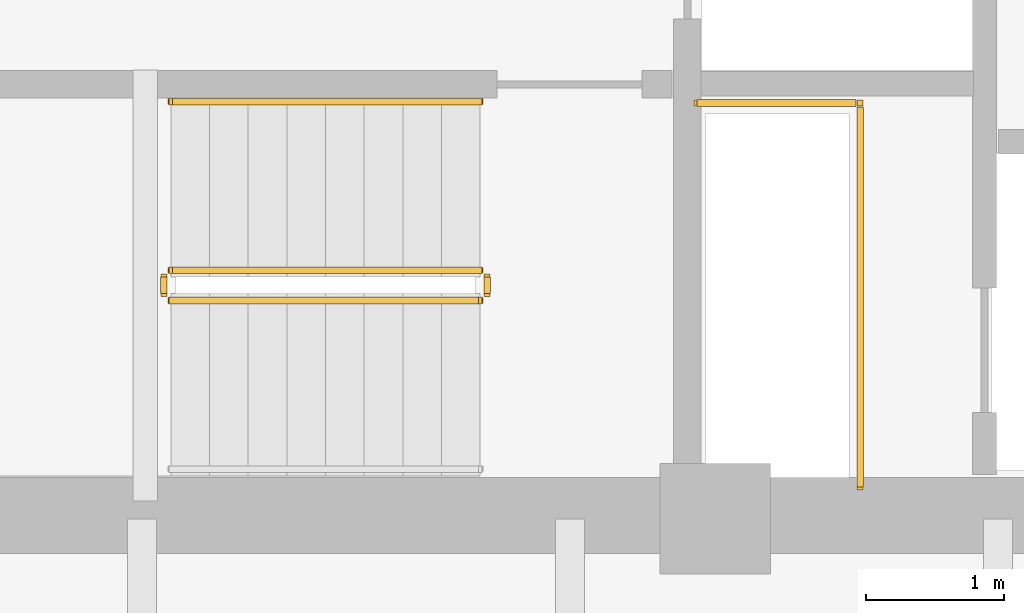
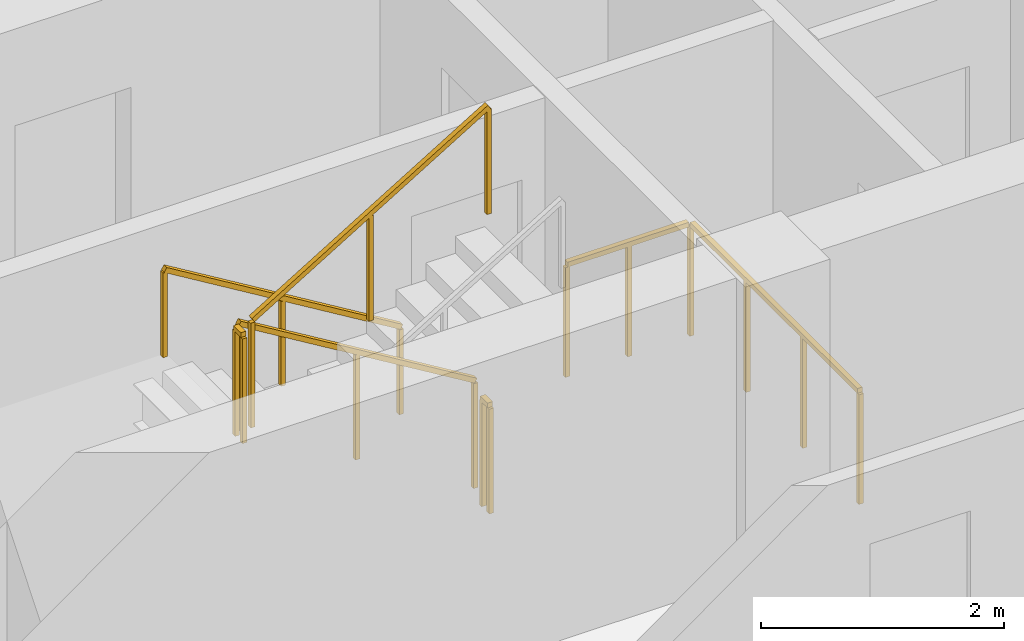
# One storey, part 8 of 12: 6 railings.
"""IFC4 building model written with IfcOpenShell, lengths in metres."""

from ifc_helpers import new_model, si_unit, direction, frame, origin, origin_2d, place, context, subcontext, project, spatial, rectangle, extrude, material, type_object, element, save


model = new_model("IFC4")

# Units and contexts
model_context = context("Model", 3, precision=1e-05, world=origin(), true_north=direction((0.0, 1.0)))
body_context = subcontext(model_context, "Body", "Model", "MODEL_VIEW")
ifc_project = project(units=[si_unit("LENGTHUNIT", "METRE"), si_unit("AREAUNIT", "SQUARE_METRE"), si_unit("VOLUMEUNIT", "CUBIC_METRE"), si_unit("PLANEANGLEUNIT", "RADIAN"), si_unit("MASSUNIT", "GRAM", prefix="KILO")], contexts=[model_context])

# Site, building, storey
site_placement = place(None, origin())
site = spatial("IfcSite", under=ifc_project, at=site_placement, CompositionType="ELEMENT")
building_placement = place(site_placement, origin())
building = spatial("IfcBuilding", under=site, at=building_placement, Name="Qhalaya Broadcast Tower", CompositionType="ELEMENT")
storey_placement = place(building_placement, frame((0.0, 0.0, 47.449951171875)))
storey = spatial("IfcBuildingStorey", under=building, at=storey_placement, Name="L13", CompositionType="ELEMENT", Elevation=47.449951171875)

# Railings
ifc_material = material(Name="Powder-Coated Galvanised Steel", Category="steel")
railing_type_1 = type_object("IfcRailingType", Name="Stair Wall Handrail 900", PredefinedType="HANDRAIL", material=ifc_material)
railing_1_placement = place(storey_placement, frame((-3.75, -5.72998046875, 0.16943359375)))
element("IfcRailing", 1, at=railing_1_placement, inside=storey, type_object=railing_type_1, Name="L13 ST-2 Stair Handrail 1", PredefinedType="HANDRAIL", context=body_context, shape_type="SweptSolid", body=[
    extrude(rectangle(XDim=0.048095703125, YDim=0.048095703125, at=origin_2d()), frame((0.0, 0.0, 0.8759765625), z_axis=(-0.855512035549, 0.0, 0.517782924622), x_axis=(0.0, -1.0, 0.0)), (0.0, 0.0, 1.0), 2.618408203125),
    extrude(rectangle(XDim=0.0419921875, YDim=0.0419921875, at=origin_2d()), origin(), (0.0, 0.0, 1.0), 0.849853515625),
    extrude(rectangle(XDim=0.0419921875, YDim=0.0419921875, at=origin_2d()), frame((-1.1201171875, 0.0, 0.677734375)), (0.0, 0.0, 1.0), 0.849853515625),
    extrude(rectangle(XDim=0.0419921875, YDim=0.0419921875, at=origin_2d()), frame((-2.239990234375, 0.0, 1.355712890625)), (0.0, 0.0, 1.0), 0.849853515625),
])
railing_type_2 = type_object("IfcRailingType", Name="Stair Well & Landing Guardrail 1100", PredefinedType="GUARDRAIL", material=ifc_material)
railing_2_placement = place(storey_placement, frame((-1.0, -8.52001953125, 0.0)))
element("IfcRailing", 2, at=railing_2_placement, inside=storey, type_object=railing_type_2, Name="L13 Service Riser Opening Safety Guard SRSR", PredefinedType="GUARDRAIL", context=body_context, shape_type="SweptSolid", body=[
    extrude(rectangle(XDim=0.048095703125, YDim=0.048095703125, at=origin_2d()), frame((0.0, 0.0, 1.1259765625), z_axis=(0.0, 1.0, 0.0), x_axis=(-1.0, 0.0, 0.0)), (0.0, 0.0, 1.0), 2.751220703125),
    extrude(rectangle(XDim=0.048095703125, YDim=0.048095703125, at=origin_2d()), frame((-0.02880859375, 2.780029296875, 1.1259765625), z_axis=(-1.0, 0.0, 0.0), x_axis=(0.0, -1.0, 0.0)), (0.0, 0.0, 1.0), 1.151123046875),
    extrude(rectangle(XDim=0.0419921875, YDim=0.0419921875, at=origin_2d()), origin(), (0.0, 0.0, 1.0), 1.099853515625),
    extrude(rectangle(XDim=0.0419921875, YDim=0.0419921875, at=origin_2d()), frame((0.0, 0.9267578125, 0.0)), (0.0, 0.0, 1.0), 1.099853515625),
    extrude(rectangle(XDim=0.0419921875, YDim=0.0419921875, at=origin_2d()), frame((0.0, 1.853271484375, 0.0)), (0.0, 0.0, 1.0), 1.099853515625),
    extrude(rectangle(XDim=0.0419921875, YDim=0.0419921875, at=origin_2d()), frame((0.0, 2.780029296875, 0.0)), (0.0, 0.0, 1.0), 1.099853515625),
    extrude(rectangle(XDim=0.0419921875, YDim=0.0419921875, at=origin_2d()), frame((-0.58984375, 2.780029296875, 0.0)), (0.0, 0.0, 1.0), 1.099853515625),
    extrude(rectangle(XDim=0.0419921875, YDim=0.0419921875, at=origin_2d()), frame((-1.179931640625, 2.780029296875, 0.0)), (0.0, 0.0, 1.0), 1.099853515625),
])
railing_3_placement = place(storey_placement, frame((-3.75, -6.949951171875, 0.16943359375)))
element("IfcRailing", 3, at=railing_3_placement, inside=storey, type_object=railing_type_2, Name="L13 ST-2 Stair Guard 1", PredefinedType="GUARDRAIL", context=body_context, shape_type="SweptSolid", body=[
    extrude(rectangle(XDim=0.048095703125, YDim=0.048095703125, at=origin_2d()), frame((0.0, 0.0, 1.076171875), z_axis=(-0.855512035549, 0.0, 0.517782924622), x_axis=(0.0, -1.0, 0.0)), (0.0, 0.0, 1.0), 2.618408203125),
    extrude(rectangle(XDim=0.0419921875, YDim=0.0419921875, at=origin_2d()), origin(), (0.0, 0.0, 1.0), 1.050048828125),
    extrude(rectangle(XDim=0.0419921875, YDim=0.0419921875, at=origin_2d()), frame((-1.1201171875, 0.0, 0.677734375)), (0.0, 0.0, 1.0), 1.050048828125),
    extrude(rectangle(XDim=0.0419921875, YDim=0.0419921875, at=origin_2d()), frame((-2.239990234375, 0.0, 1.355712890625)), (0.0, 0.0, 1.0), 1.050048828125),
])
railing_4_placement = place(storey_placement, frame((-6.0400390625, -7.0, 1.525146484375)))
element("IfcRailing", 4, at=railing_4_placement, inside=storey, type_object=railing_type_2, Name="L13 ST-2 Stair Guard 2", PredefinedType="GUARDRAIL", context=body_context, shape_type="SweptSolid", body=[
    extrude(rectangle(XDim=0.048095703125, YDim=0.048095703125, at=origin_2d()), frame((0.0, 0.0, 1.076171875), z_axis=(0.0, -1.0, 0.0), x_axis=(1.0, 0.0, 0.0)), (0.0, 0.0, 1.0), 0.1201171875),
    extrude(rectangle(XDim=0.0419921875, YDim=0.0419921875, at=origin_2d()), origin(), (0.0, 0.0, 1.0), 1.050048828125),
    extrude(rectangle(XDim=0.0419921875, YDim=0.0419921875, at=origin_2d()), frame((0.0, -0.1201171875, 0.0)), (0.0, 0.0, 1.0), 1.050048828125),
])
railing_5_placement = place(storey_placement, frame((-5.989990234375, -7.169921875, 1.694580078125)))
element("IfcRailing", 5, at=railing_5_placement, inside=storey, type_object=railing_type_2, Name="L13 ST-2 Stair Guard 3", PredefinedType="GUARDRAIL", context=body_context, shape_type="SweptSolid", body=[
    extrude(rectangle(XDim=0.048095703125, YDim=0.048095703125, at=origin_2d()), frame((0.0, 0.0, 1.076171875), z_axis=(0.855553338991, 0.0, 0.51771467445), x_axis=(0.0, 1.0, 0.0)), (0.0, 0.0, 1.0), 2.6181640625),
    extrude(rectangle(XDim=0.0419921875, YDim=0.0419921875, at=origin_2d()), origin(), (0.0, 0.0, 1.0), 1.050048828125),
    extrude(rectangle(XDim=0.0419921875, YDim=0.0419921875, at=origin_2d()), frame((1.1201171875, 0.0, 0.677734375)), (0.0, 0.0, 1.0), 1.050048828125),
    extrude(rectangle(XDim=0.0419921875, YDim=0.0419921875, at=origin_2d()), frame((2.239990234375, 0.0, 1.35546875)), (0.0, 0.0, 1.0), 1.050048828125),
])
railing_6_placement = place(storey_placement, frame((-3.699951171875, -7.0, 0.0)))
element("IfcRailing", 6, at=railing_6_placement, inside=storey, type_object=railing_type_2, Name="L13 ST-2 Stair Guard 4", PredefinedType="GUARDRAIL", context=body_context, shape_type="SweptSolid", body=[
    extrude(rectangle(XDim=0.048095703125, YDim=0.048095703125, at=origin_2d()), frame((0.0, 0.0, 1.076171875), z_axis=(0.0, -1.0, 0.0), x_axis=(1.0, 0.0, 0.0)), (0.0, 0.0, 1.0), 0.1201171875),
    extrude(rectangle(XDim=0.0419921875, YDim=0.0419921875, at=origin_2d()), origin(), (0.0, 0.0, 1.0), 1.050048828125),
    extrude(rectangle(XDim=0.0419921875, YDim=0.0419921875, at=origin_2d()), frame((0.0, -0.1201171875, 0.0)), (0.0, 0.0, 1.0), 1.050048828125),
])

save(model, "model.ifc")
